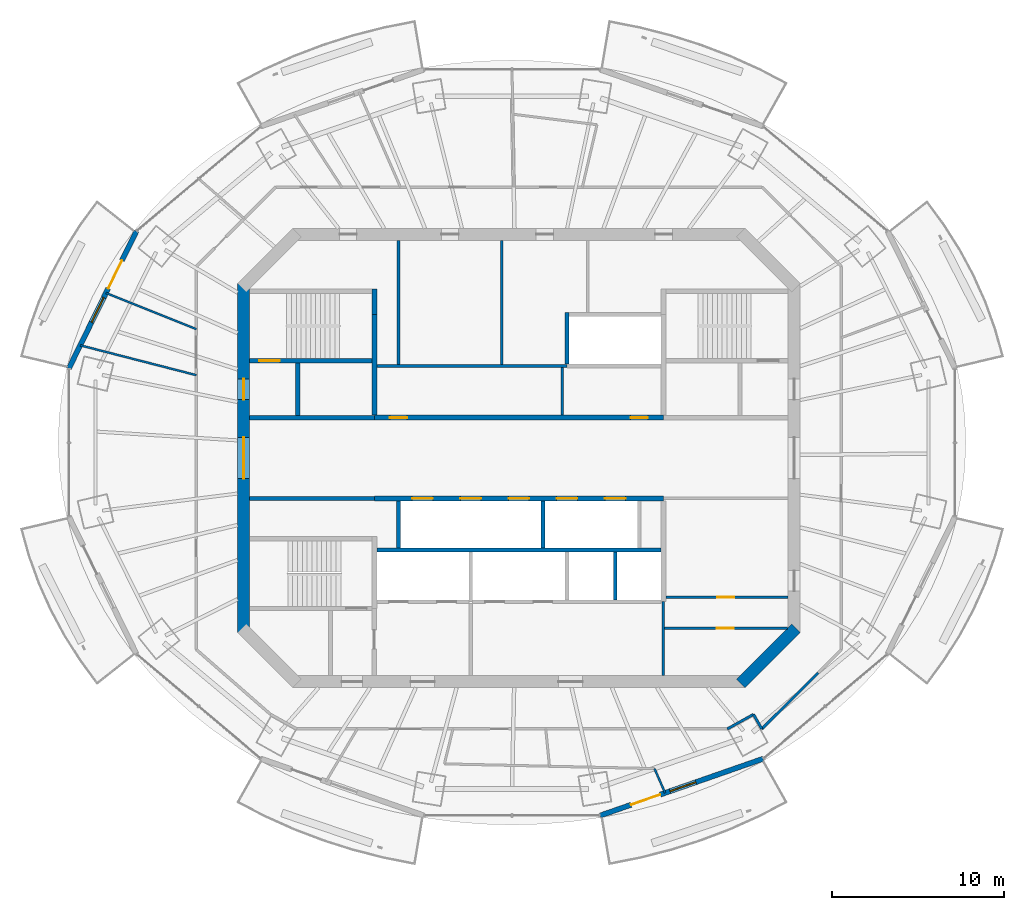
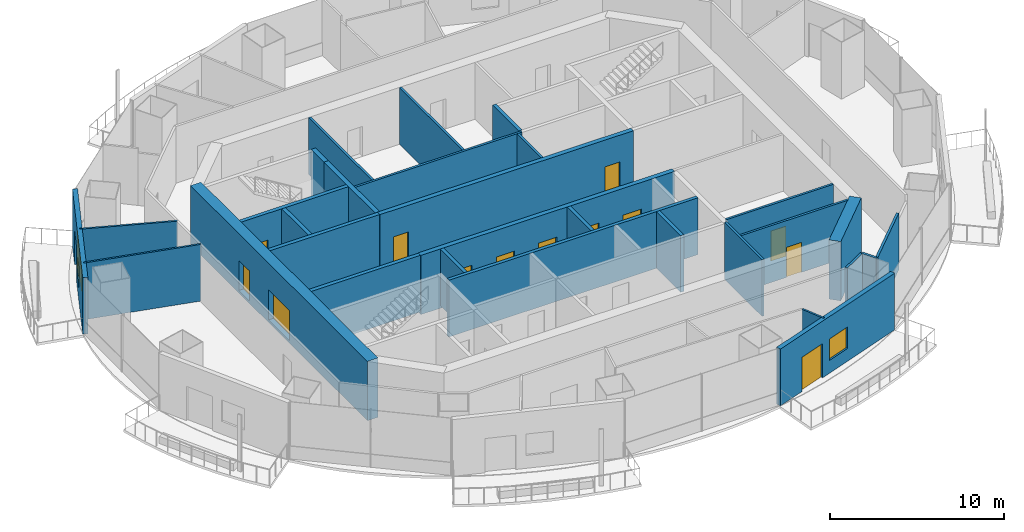
# One storey, part 9 of 16: 30 walls, 14 doors, 2 windows, 16 openings.
"""IFC4 building model written with IfcOpenShell, lengths in metres."""

from ifc_helpers import new_model, si_unit, direction, frame, frame_2d, origin, place, context, subcontext, project, spatial, rectangle, extrude, material, layer, layer_set, type_object, element, fill, save


model = new_model("IFC4")

# Units and contexts
model_context = context("Model", 3, precision=1e-05, world=origin(), true_north=direction((0.0, 1.0)))
body_context = subcontext(model_context, "Body", "Model", "MODEL_VIEW")
ifc_project = project(units=[si_unit("LENGTHUNIT", "METRE"), si_unit("AREAUNIT", "SQUARE_METRE"), si_unit("VOLUMEUNIT", "CUBIC_METRE"), si_unit("PLANEANGLEUNIT", "RADIAN"), si_unit("MASSUNIT", "GRAM", prefix="KILO")], contexts=[model_context])

# Site, building, storey
site_placement = place(None, origin())
site = spatial("IfcSite", under=ifc_project, at=site_placement, CompositionType="ELEMENT")
building_placement = place(site_placement, origin())
building = spatial("IfcBuilding", under=site, at=building_placement, Name="Marenthal Gate Tower", CompositionType="ELEMENT")
storey_placement = place(building_placement, frame((0.0, 0.0, 367.5)))
storey = spatial("IfcBuildingStorey", under=building, at=storey_placement, Name="L83", CompositionType="ELEMENT", Elevation=367.5)

# Wall
ifc_material_1 = material(Name="Concrete 60 MPa", Category="concrete")
ifc_layer_1 = layer(ifc_material_1, 0.699951171875)
ifc_layer_set_1 = layer_set([ifc_layer_1], Name="Core shear wall 700")
wall_type_1 = type_object("IfcWallType", Name="Core shear wall 700", PredefinedType="SHEAR", material=ifc_layer_set_1)
wall_1_placement = place(storey_placement, frame((12.8974609375, -13.1025390625, -0.179931640625), z_axis=(0.0, 0.0, 1.0), x_axis=(0.707106781187, 0.707106781187, 0.0)))
element("IfcWall", 1, at=wall_1_placement, inside=storey, type_object=wall_type_1, Name="Core wall 01", PredefinedType="SHEAR", context=body_context, shape_type="SweptSolid", body=[
    extrude(rectangle(XDim=4.53271484375, YDim=0.699951171875, at=frame_2d((2.266357421875, 0.0))), origin(), (0.0, 0.0, 1.0), 4.14990234375),
])

# Wall, openings, doors
wall_2_placement = place(storey_placement, frame((-16.0, 10.14501953125, -0.179931640625), z_axis=(0.0, 0.0, 1.0), x_axis=(0.0, -1.0, 0.0)))
wall_2 = element("IfcWall", 2, at=wall_2_placement, inside=storey, type_object=wall_type_1, Name="Core wall 06", PredefinedType="SHEAR", context=body_context, shape_type="SweptSolid", body=[
    extrude(rectangle(XDim=20.2900390625, YDim=0.699951171875, at=frame_2d((10.14501953125, 0.0))), origin(), (0.0, 0.0, 1.0), 4.14990234375),
])
opening_1_placement = place(wall_2_placement, frame((8.945068359375, 0.0, 0.179931640625)))
opening_1 = element("IfcOpeningElement", 3, at=opening_1_placement, cuts=wall_2, Name="Opening D003.01", PredefinedType="OPENING", context=body_context, shape_type="SweptSolid", body=[
    extrude(rectangle(XDim=2.39990234375, YDim=2.10009765625, at=frame_2d((1.199951171875, 1.050048828125))), frame((0.0, 0.35986328125, 0.0), z_axis=(0.0, -1.0, 0.0), x_axis=(1.0, 0.0, 0.0)), (0.0, 0.0, 1.0), 0.719970703125),
])
opening_2_placement = place(wall_2_placement, frame((5.544921875, 0.0, 0.179931640625)))
opening_2 = element("IfcOpeningElement", 4, at=opening_2_placement, cuts=wall_2, Name="Opening D001.04", PredefinedType="OPENING", context=body_context, shape_type="SweptSolid", body=[
    extrude(rectangle(XDim=1.199951171875, YDim=2.10009765625, at=frame_2d((0.60009765625, 1.050048828125))), frame((0.0, 0.35986328125, 0.0), z_axis=(0.0, -1.0, 0.0), x_axis=(1.0, 0.0, 0.0)), (0.0, 0.0, 1.0), 0.719970703125),
])
ifc_material_2 = material(Name="Steel fire door", Category="steel")
door_type_1 = type_object("IfcDoorType", Name="Double fire door FD 45 2400 x 2100", OperationType="DOUBLE_DOOR_SINGLE_SWING", PredefinedType="DOOR", material=ifc_material_2)
door_1_placement = place(opening_1_placement, origin())
door_1 = element("IfcDoor", 5, at=door_1_placement, inside=storey, type_object=door_type_1, Name="Door D003.01", OperationType="DOUBLE_DOOR_SINGLE_SWING", OverallHeight=2.10009765625, OverallWidth=2.39990234375, PredefinedType="DOOR", context=body_context, shape_type="SweptSolid", body=[
    extrude(rectangle(XDim=2.39990234375, YDim=2.10009765625, at=frame_2d((1.199951171875, 1.050048828125))), frame((0.0, 0.02490234375, 0.0), z_axis=(0.0, -1.0, 0.0), x_axis=(1.0, 0.0, 0.0)), (0.0, 0.0, 1.0), 0.050048828125),
])
fill(opening_1, door_1)
ifc_material_3 = material(Name="Steel fire door", Category="steel")
door_type_2 = type_object("IfcDoorType", Name="Fire door FD 90 1200 x 2100", OperationType="NOTDEFINED", PredefinedType="DOOR", material=ifc_material_3)
door_2_placement = place(opening_2_placement, origin())
door_2 = element("IfcDoor", 6, at=door_2_placement, inside=storey, type_object=door_type_2, Name="Door D001.04", OperationType="SINGLE_SWING_RIGHT", OverallHeight=2.10009765625, OverallWidth=1.199951171875, PredefinedType="DOOR", context=body_context, shape_type="SweptSolid", body=[
    extrude(rectangle(XDim=1.199951171875, YDim=2.10009765625, at=frame_2d((0.60009765625, 1.050048828125))), frame((0.0, 0.02490234375, 0.0), z_axis=(0.0, -1.0, 0.0), x_axis=(1.0, 0.0, 0.0)), (0.0, 0.0, 1.0), 0.050048828125),
])
fill(opening_2, door_2)

ifc_material_4 = material(Name="Concrete 50 MPa", Category="concrete")
ifc_layer_2 = layer(ifc_material_4, 0.300048828125)
ifc_layer_set_2 = layer_set([ifc_layer_2], Name="Hoistway shear wall 300")
wall_type_2 = type_object("IfcWallType", Name="Hoistway shear wall 300", PredefinedType="SHEAR", material=ifc_layer_set_2)
wall_3_placement = place(storey_placement, frame((-8.39990234375, -2.35009765625, -0.179931640625), z_axis=(0.0, 0.0, 1.0), x_axis=(1.0, 0.0, 0.0)))
wall_3 = element("IfcWall", 7, at=wall_3_placement, inside=storey, type_object=wall_type_2, Name="Hoistway wall 17", PredefinedType="SHEAR", context=body_context, shape_type="SweptSolid", body=[
    extrude(rectangle(XDim=16.7998046875, YDim=0.300048828125, at=frame_2d((8.39990234375, 0.0))), origin(), (0.0, 0.0, 1.0), 4.14990234375),
])
opening_3_placement = place(wall_3_placement, frame((2.199951171875, 0.0, 0.179931640625)))
opening_3 = element("IfcOpeningElement", 8, at=opening_3_placement, cuts=wall_3, Name="Opening LD-HP1", PredefinedType="OPENING", context=body_context, shape_type="SweptSolid", body=[
    extrude(rectangle(XDim=1.199951171875, YDim=2.10009765625, at=frame_2d((0.60009765625, 1.050048828125))), frame((0.0, 0.16015625, 0.0), z_axis=(0.0, -1.0, 0.0), x_axis=(1.0, 0.0, 0.0)), (0.0, 0.0, 1.0), 0.320068359375),
])
opening_4_placement = place(wall_3_placement, frame((5.0, 0.0, 0.179931640625)))
opening_4 = element("IfcOpeningElement", 9, at=opening_4_placement, cuts=wall_3, Name="Opening LD-HP2", PredefinedType="OPENING", context=body_context, shape_type="SweptSolid", body=[
    extrude(rectangle(XDim=1.199951171875, YDim=2.10009765625, at=frame_2d((0.60009765625, 1.050048828125))), frame((0.0, 0.16015625, 0.0), z_axis=(0.0, -1.0, 0.0), x_axis=(1.0, 0.0, 0.0)), (0.0, 0.0, 1.0), 0.320068359375),
])
opening_5_placement = place(wall_3_placement, frame((7.800048828125, 0.0, 0.179931640625)))
opening_5 = element("IfcOpeningElement", 10, at=opening_5_placement, cuts=wall_3, Name="Opening LD-HP3", PredefinedType="OPENING", context=body_context, shape_type="SweptSolid", body=[
    extrude(rectangle(XDim=1.199951171875, YDim=2.10009765625, at=frame_2d((0.60009765625, 1.050048828125))), frame((0.0, 0.16015625, 0.0), z_axis=(0.0, -1.0, 0.0), x_axis=(1.0, 0.0, 0.0)), (0.0, 0.0, 1.0), 0.320068359375),
])
opening_6_placement = place(wall_3_placement, frame((10.60009765625, 0.0, 0.179931640625)))
opening_6 = element("IfcOpeningElement", 11, at=opening_6_placement, cuts=wall_3, Name="Opening LD-HP4", PredefinedType="OPENING", context=body_context, shape_type="SweptSolid", body=[
    extrude(rectangle(XDim=1.199951171875, YDim=2.10009765625, at=frame_2d((0.60009765625, 1.050048828125))), frame((0.0, 0.16015625, 0.0), z_axis=(0.0, -1.0, 0.0), x_axis=(1.0, 0.0, 0.0)), (0.0, 0.0, 1.0), 0.320068359375),
])
opening_7_placement = place(wall_3_placement, frame((13.39990234375, 0.0, 0.179931640625)))
opening_7 = element("IfcOpeningElement", 12, at=opening_7_placement, cuts=wall_3, Name="Opening LD-HP5", PredefinedType="OPENING", context=body_context, shape_type="SweptSolid", body=[
    extrude(rectangle(XDim=1.199951171875, YDim=2.10009765625, at=frame_2d((0.60009765625, 1.050048828125))), frame((0.0, 0.16015625, 0.0), z_axis=(0.0, -1.0, 0.0), x_axis=(1.0, 0.0, 0.0)), (0.0, 0.0, 1.0), 0.320068359375),
])
ifc_material_5 = material(Name="Stainless steel sliding door", Category="steel")
door_type_3 = type_object("IfcDoorType", Name="Lift landing door FD 90 1200 x 2100", OperationType="DOUBLE_DOOR_SLIDING", PredefinedType="DOOR", material=ifc_material_5)
door_3_placement = place(opening_3_placement, origin())
door_3 = element("IfcDoor", 13, at=door_3_placement, inside=storey, type_object=door_type_3, Name="Lift landing door HP1", OperationType="DOUBLE_DOOR_SLIDING", OverallHeight=2.10009765625, OverallWidth=1.199951171875, PredefinedType="DOOR", context=body_context, shape_type="SweptSolid", body=[
    extrude(rectangle(XDim=1.199951171875, YDim=2.10009765625, at=frame_2d((0.60009765625, 1.050048828125))), frame((0.0, 0.02490234375, 0.0), z_axis=(0.0, -1.0, 0.0), x_axis=(1.0, 0.0, 0.0)), (0.0, 0.0, 1.0), 0.050048828125),
])
fill(opening_3, door_3)
door_4_placement = place(opening_4_placement, origin())
door_4 = element("IfcDoor", 14, at=door_4_placement, inside=storey, type_object=door_type_3, Name="Lift landing door HP2", OperationType="DOUBLE_DOOR_SLIDING", OverallHeight=2.10009765625, OverallWidth=1.199951171875, PredefinedType="DOOR", context=body_context, shape_type="SweptSolid", body=[
    extrude(rectangle(XDim=1.199951171875, YDim=2.10009765625, at=frame_2d((0.60009765625, 1.050048828125))), frame((0.0, 0.02490234375, 0.0), z_axis=(0.0, -1.0, 0.0), x_axis=(1.0, 0.0, 0.0)), (0.0, 0.0, 1.0), 0.050048828125),
])
fill(opening_4, door_4)
door_5_placement = place(opening_5_placement, origin())
door_5 = element("IfcDoor", 15, at=door_5_placement, inside=storey, type_object=door_type_3, Name="Lift landing door HP3", OperationType="DOUBLE_DOOR_SLIDING", OverallHeight=2.10009765625, OverallWidth=1.199951171875, PredefinedType="DOOR", context=body_context, shape_type="SweptSolid", body=[
    extrude(rectangle(XDim=1.199951171875, YDim=2.10009765625, at=frame_2d((0.60009765625, 1.050048828125))), frame((0.0, 0.02490234375, 0.0), z_axis=(0.0, -1.0, 0.0), x_axis=(1.0, 0.0, 0.0)), (0.0, 0.0, 1.0), 0.050048828125),
])
fill(opening_5, door_5)
door_6_placement = place(opening_6_placement, origin())
door_6 = element("IfcDoor", 16, at=door_6_placement, inside=storey, type_object=door_type_3, Name="Lift landing door HP4", OperationType="DOUBLE_DOOR_SLIDING", OverallHeight=2.10009765625, OverallWidth=1.199951171875, PredefinedType="DOOR", context=body_context, shape_type="SweptSolid", body=[
    extrude(rectangle(XDim=1.199951171875, YDim=2.10009765625, at=frame_2d((0.60009765625, 1.050048828125))), frame((0.0, 0.02490234375, 0.0), z_axis=(0.0, -1.0, 0.0), x_axis=(1.0, 0.0, 0.0)), (0.0, 0.0, 1.0), 0.050048828125),
])
fill(opening_6, door_6)
door_7_placement = place(opening_7_placement, origin())
door_7 = element("IfcDoor", 17, at=door_7_placement, inside=storey, type_object=door_type_3, Name="Lift landing door HP5", OperationType="DOUBLE_DOOR_SLIDING", OverallHeight=2.10009765625, OverallWidth=1.199951171875, PredefinedType="DOOR", context=body_context, shape_type="SweptSolid", body=[
    extrude(rectangle(XDim=1.199951171875, YDim=2.10009765625, at=frame_2d((0.60009765625, 1.050048828125))), frame((0.0, 0.02490234375, 0.0), z_axis=(0.0, -1.0, 0.0), x_axis=(1.0, 0.0, 0.0)), (0.0, 0.0, 1.0), 0.050048828125),
])
fill(opening_7, door_7)

wall_4_placement = place(storey_placement, frame((-8.39990234375, 2.35009765625, -0.179931640625), z_axis=(0.0, 0.0, 1.0), x_axis=(1.0, 0.0, 0.0)))
wall_4 = element("IfcWall", 18, at=wall_4_placement, inside=storey, type_object=wall_type_2, Name="Hoistway wall 20", PredefinedType="SHEAR", context=body_context, shape_type="SweptSolid", body=[
    extrude(rectangle(XDim=16.7998046875, YDim=0.300048828125, at=frame_2d((8.39990234375, 0.0))), origin(), (0.0, 0.0, 1.0), 4.14990234375),
])
opening_8_placement = place(wall_4_placement, frame((0.89990234375, 0.0, 0.179931640625)))
opening_8 = element("IfcOpeningElement", 19, at=opening_8_placement, cuts=wall_4, Name="Opening D005.01", PredefinedType="OPENING", context=body_context, shape_type="SweptSolid", body=[
    extrude(rectangle(XDim=1.0, YDim=2.10009765625, at=frame_2d((0.5, 1.050048828125))), frame((0.0, 0.16015625, 0.0), z_axis=(0.0, -1.0, 0.0), x_axis=(1.0, 0.0, 0.0)), (0.0, 0.0, 1.0), 0.320068359375),
])
opening_9_placement = place(wall_4_placement, frame((14.89990234375, 0.0, 0.179931640625)))
opening_9 = element("IfcOpeningElement", 20, at=opening_9_placement, cuts=wall_4, Name="Opening D005.02", PredefinedType="OPENING", context=body_context, shape_type="SweptSolid", body=[
    extrude(rectangle(XDim=1.0, YDim=2.10009765625, at=frame_2d((0.5, 1.050048828125))), frame((0.0, 0.16015625, 0.0), z_axis=(0.0, -1.0, 0.0), x_axis=(1.0, 0.0, 0.0)), (0.0, 0.0, 1.0), 0.320068359375),
])
ifc_material_6 = material(Name="Steel fire door", Category="steel")
door_type_4 = type_object("IfcDoorType", Name="Fire door FD 45 1000 x 2100", OperationType="NOTDEFINED", PredefinedType="DOOR", material=ifc_material_6)
door_8_placement = place(opening_8_placement, origin())
door_8 = element("IfcDoor", 21, at=door_8_placement, inside=storey, type_object=door_type_4, Name="Door D005.01", OperationType="SINGLE_SWING_RIGHT", OverallHeight=2.10009765625, OverallWidth=1.0, PredefinedType="DOOR", context=body_context, shape_type="SweptSolid", body=[
    extrude(rectangle(XDim=1.0, YDim=2.10009765625, at=frame_2d((0.5, 1.050048828125))), frame((0.0, 0.02490234375, 0.0), z_axis=(0.0, -1.0, 0.0), x_axis=(1.0, 0.0, 0.0)), (0.0, 0.0, 1.0), 0.050048828125),
])
fill(opening_8, door_8)
door_9_placement = place(opening_9_placement, origin())
door_9 = element("IfcDoor", 22, at=door_9_placement, inside=storey, type_object=door_type_4, Name="Door D005.02", OperationType="SINGLE_SWING_RIGHT", OverallHeight=2.10009765625, OverallWidth=1.0, PredefinedType="DOOR", context=body_context, shape_type="SweptSolid", body=[
    extrude(rectangle(XDim=1.0, YDim=2.10009765625, at=frame_2d((0.5, 1.050048828125))), frame((0.0, 0.02490234375, 0.0), z_axis=(0.0, -1.0, 0.0), x_axis=(1.0, 0.0, 0.0)), (0.0, 0.0, 1.0), 0.050048828125),
])
fill(opening_9, door_9)

# Walls
wall_5_placement = place(storey_placement, frame((-8.39990234375, 2.5, -0.179931640625), z_axis=(0.0, 0.0, 1.0), x_axis=(0.0, 1.0, 0.0)))
element("IfcWall", 23, at=wall_5_placement, inside=storey, type_object=wall_type_2, Name="Hoistway wall 33", PredefinedType="SHEAR", context=body_context, shape_type="SweptSolid", body=[
    extrude(rectangle(XDim=5.85009765625, YDim=0.300048828125, at=frame_2d((2.925048828125, 0.0))), origin(), (0.0, 0.0, 1.0), 4.14990234375),
])
ifc_material_7 = material(Name="Concrete 40 MPa", Category="concrete")
ifc_layer_3 = layer(ifc_material_7, 0.219970703125)
ifc_layer_set_3 = layer_set([ifc_layer_3], Name="Hoistway wall 220")
wall_type_3 = type_object("IfcWallType", Name="Hoistway wall 220", PredefinedType="STANDARD", material=ifc_layer_set_3)
wall_6_placement = place(storey_placement, frame((-8.25, -5.35009765625, 0.0), z_axis=(0.0, 0.0, 1.0), x_axis=(1.0, 0.0, 0.0)))
element("IfcWall", 24, at=wall_6_placement, inside=storey, type_object=wall_type_3, Name="Hoistway wall 14", PredefinedType="STANDARD", context=body_context, shape_type="SweptSolid", body=[
    extrude(rectangle(XDim=16.5, YDim=0.219970703125, at=frame_2d((8.25, 0.0))), origin(), (0.0, 0.0, 1.0), 3.969970703125),
])
for number, where, z_axis, x_axis, name in (
    (25, (-7.0, -5.239990234375, 0.0), (0.0, 0.0, 1.0), (0.0, 1.0, 0.0), "Hoistway wall 35"),
    (26, (1.39990234375, -5.239990234375, 0.0), (0.0, 0.0, 1.0), (0.0, 1.0, 0.0), "Hoistway wall 40"),
):
    element("IfcWall", number, at=place(storey_placement, frame(where, z_axis=z_axis, x_axis=x_axis)), inside=storey, type_object=wall_type_3, Name=name, PredefinedType="STANDARD", context=body_context, shape_type="SweptSolid", body=[
        extrude(rectangle(XDim=2.739990234375, YDim=0.219970703125, at=frame_2d((1.3701171875, 0.0))), origin(), (0.0, 0.0, 1.0), 3.969970703125),
    ])
wall_7_placement = place(storey_placement, frame((2.800048828125, 5.4599609375, 0.0), z_axis=(0.0, 0.0, 1.0), x_axis=(0.0, 1.0, 0.0)))
element("IfcWall", 27, at=wall_7_placement, inside=storey, type_object=wall_type_3, Name="Hoistway wall 43", PredefinedType="STANDARD", context=body_context, shape_type="SweptSolid", body=[
    extrude(rectangle(XDim=3.0, YDim=0.219970703125, at=frame_2d((1.5, 0.0))), origin(), (0.0, 0.0, 1.0), 3.969970703125),
])
wall_8_placement = place(storey_placement, frame((5.60009765625, -8.239990234375, 0.0), z_axis=(0.0, 0.0, 1.0), x_axis=(0.0, 1.0, 0.0)))
element("IfcWall", 28, at=wall_8_placement, inside=storey, type_object=wall_type_3, Name="Hoistway wall 45", PredefinedType="STANDARD", context=body_context, shape_type="SweptSolid", body=[
    extrude(rectangle(XDim=2.780029296875, YDim=0.219970703125, at=frame_2d((1.39013671875, 0.0))), origin(), (0.0, 0.0, 1.0), 3.969970703125),
])
ifc_material_8 = material(Name="Gypsum board on steel studs", Category="steel")
ifc_layer_4 = layer(ifc_material_8, 0.1201171875)
ifc_layer_set_4 = layer_set([ifc_layer_4], Name="Partition 120")
wall_type_4 = type_object("IfcWallType", Name="Partition 120", PredefinedType="PARTITIONING", material=ifc_layer_set_4)
wall_9_placement = place(storey_placement, frame((-18.75, 4.8173828125, 0.0), z_axis=(0.0, 0.0, 1.0), x_axis=(-0.968546007416, 0.248834546472, 0.0)))
element("IfcWall", 29, at=wall_9_placement, inside=storey, type_object=wall_type_4, Name="Partition wall 53", PredefinedType="PARTITIONING", context=body_context, shape_type="SweptSolid", body=[
    extrude(rectangle(XDim=6.970947265625, YDim=0.1201171875, at=frame_2d((3.4853515625, 0.0))), origin(), (0.0, 0.0, 1.0), 3.969970703125),
])
wall_10_placement = place(storey_placement, frame((-18.75, 7.494873046875, 0.0), z_axis=(0.0, 0.0, 1.0), x_axis=(-0.928562955477, 0.371174942197, 0.0)))
element("IfcWall", 30, at=wall_10_placement, inside=storey, type_object=wall_type_4, Name="Partition wall 54", PredefinedType="PARTITIONING", context=body_context, shape_type="SweptSolid", body=[
    extrude(rectangle(XDim=5.65869140625, YDim=0.1201171875, at=frame_2d((2.829345703125, 0.0))), origin(), (0.0, 0.0, 1.0), 3.969970703125),
])
wall_11_placement = place(storey_placement, frame((7.8837890625, -18.055908203125, 0.0), z_axis=(0.0, 0.0, 1.0), x_axis=(0.400253967032, -0.916404256797, 0.0)))
element("IfcWall", 31, at=wall_11_placement, inside=storey, type_object=wall_type_4, Name="Partition wall 69", PredefinedType="PARTITIONING", context=body_context, shape_type="SweptSolid", body=[
    extrude(rectangle(XDim=1.5419921875, YDim=0.1201171875, at=frame_2d((0.77099609375, 0.0))), origin(), (0.0, 0.0, 1.0), 3.969970703125),
])

# Wall, opening, door
ifc_material_9 = material(Name="Gypsum board on steel studs", Category="steel")
ifc_layer_5 = layer(ifc_material_9, 0.14990234375)
ifc_layer_set_5 = layer_set([ifc_layer_5], Name="Partition 150")
wall_type_5 = type_object("IfcWallType", Name="Partition 150", PredefinedType="PARTITIONING", material=ifc_layer_set_5)
wall_12_placement = place(storey_placement, frame((8.47509765625, -9.89990234375, 0.0), z_axis=(0.0, 0.0, 1.0), x_axis=(1.0, 0.0, 0.0)))
wall_12 = element("IfcWall", 32, at=wall_12_placement, inside=storey, type_object=wall_type_5, Name="Partition wall 09", PredefinedType="PARTITIONING", context=body_context, shape_type="SweptSolid", body=[
    extrude(rectangle(XDim=7.1298828125, YDim=0.14990234375, at=frame_2d((3.56494140625, 0.0))), origin(), (0.0, 0.0, 1.0), 3.969970703125),
])
opening_10_placement = place(wall_12_placement, frame((3.027587890625, 0.0, 0.0)))
opening_10 = element("IfcOpeningElement", 33, at=opening_10_placement, cuts=wall_12, Name="Opening D005.08", PredefinedType="OPENING", context=body_context, shape_type="SweptSolid", body=[
    extrude(rectangle(XDim=1.0, YDim=2.10009765625, at=frame_2d((0.5, 1.050048828125))), frame((0.0, 0.0849609375, 0.0), z_axis=(0.0, -1.0, 0.0), x_axis=(1.0, 0.0, 0.0)), (0.0, 0.0, 1.0), 0.169921875),
])
door_10_placement = place(opening_10_placement, frame((1.0, 0.0, 0.0), z_axis=(0.0, 0.0, 1.0), x_axis=(-1.0, 0.0, 0.0)))
door_10 = element("IfcDoor", 34, at=door_10_placement, inside=storey, type_object=door_type_4, Name="Door D005.08", OperationType="SINGLE_SWING_LEFT", OverallHeight=2.10009765625, OverallWidth=1.0, PredefinedType="DOOR", context=body_context, shape_type="SweptSolid", body=[
    extrude(rectangle(XDim=1.0, YDim=2.10009765625, at=frame_2d((0.5, 1.050048828125))), frame((0.0, 0.02490234375, 0.0), z_axis=(0.0, -1.0, 0.0), x_axis=(1.0, 0.0, 0.0)), (0.0, 0.0, 1.0), 0.050048828125),
])
fill(opening_10, door_10)

wall_13_placement = place(storey_placement, frame((8.550048828125, -8.10009765625, 0.0), z_axis=(0.0, 0.0, 1.0), x_axis=(1.0, 0.0, 0.0)))
wall_13 = element("IfcWall", 35, at=wall_13_placement, inside=storey, type_object=wall_type_5, Name="Partition wall 13", PredefinedType="PARTITIONING", context=body_context, shape_type="SweptSolid", body=[
    extrude(rectangle(XDim=7.099853515625, YDim=0.14990234375, at=frame_2d((3.5498046875, 0.0))), origin(), (0.0, 0.0, 1.0), 3.969970703125),
])
opening_11_placement = place(wall_13_placement, frame((2.97509765625, 0.0, 0.0)))
opening_11 = element("IfcOpeningElement", 36, at=opening_11_placement, cuts=wall_13, Name="Opening D005.07", PredefinedType="OPENING", context=body_context, shape_type="SweptSolid", body=[
    extrude(rectangle(XDim=1.0, YDim=2.10009765625, at=frame_2d((0.5, 1.050048828125))), frame((0.0, 0.0849609375, 0.0), z_axis=(0.0, -1.0, 0.0), x_axis=(1.0, 0.0, 0.0)), (0.0, 0.0, 1.0), 0.169921875),
])
door_11_placement = place(opening_11_placement, origin())
door_11 = element("IfcDoor", 37, at=door_11_placement, inside=storey, type_object=door_type_4, Name="Door D005.07", OperationType="SINGLE_SWING_RIGHT", OverallHeight=2.10009765625, OverallWidth=1.0, PredefinedType="DOOR", context=body_context, shape_type="SweptSolid", body=[
    extrude(rectangle(XDim=1.0, YDim=2.10009765625, at=frame_2d((0.5, 1.050048828125))), frame((0.0, 0.02490234375, 0.0), z_axis=(0.0, -1.0, 0.0), x_axis=(1.0, 0.0, 0.0)), (0.0, 0.0, 1.0), 0.050048828125),
])
fill(opening_11, door_11)

# Walls
wall_14_placement = place(storey_placement, frame((-8.25, 5.35009765625, 0.0), z_axis=(0.0, 0.0, 1.0), x_axis=(1.0, 0.0, 0.0)))
element("IfcWall", 38, at=wall_14_placement, inside=storey, type_object=wall_type_5, Name="Partition wall 22", PredefinedType="PARTITIONING", context=body_context, shape_type="SweptSolid", body=[
    extrude(rectangle(XDim=11.050048828125, YDim=0.14990234375, at=frame_2d((5.52490234375, 0.0))), origin(), (0.0, 0.0, 1.0), 3.969970703125),
])
for number, where, z_axis, x_axis, name in (
    (39, (-7.0, 5.425048828125, 0.0), (0.0, 0.0, 1.0), (0.0, 1.0, 0.0), "Partition wall 36"),
    (40, (-1.0, 5.425048828125, 0.0), (0.0, 0.0, 1.0), (0.0, 1.0, 0.0), "Partition wall 39"),
):
    element("IfcWall", number, at=place(storey_placement, frame(where, z_axis=z_axis, x_axis=x_axis)), inside=storey, type_object=wall_type_5, Name=name, PredefinedType="PARTITIONING", context=body_context, shape_type="SweptSolid", body=[
        extrude(rectangle(XDim=7.224853515625, YDim=0.14990234375, at=frame_2d((3.6123046875, 0.0))), origin(), (0.0, 0.0, 1.0), 3.969970703125),
    ])
wall_15_placement = place(storey_placement, frame((2.52001953125, 2.5, 0.0), z_axis=(0.0, 0.0, 1.0), x_axis=(0.0, 1.0, 0.0)))
element("IfcWall", 41, at=wall_15_placement, inside=storey, type_object=wall_type_5, Name="Partition wall 41", PredefinedType="PARTITIONING", context=body_context, shape_type="SweptSolid", body=[
    extrude(rectangle(XDim=2.77490234375, YDim=0.14990234375, at=frame_2d((1.387451171875, 0.0))), origin(), (0.0, 0.0, 1.0), 3.969970703125),
])
wall_16_placement = place(storey_placement, frame((8.39990234375, -12.64990234375, 0.0), z_axis=(0.0, 0.0, 1.0), x_axis=(0.0, 1.0, 0.0)))
element("IfcWall", 42, at=wall_16_placement, inside=storey, type_object=wall_type_5, Name="Partition wall 47", PredefinedType="PARTITIONING", context=body_context, shape_type="SweptSolid", body=[
    extrude(rectangle(XDim=4.2998046875, YDim=0.14990234375, at=frame_2d((2.14990234375, 0.0))), origin(), (0.0, 0.0, 1.0), 3.969970703125),
])
wall_17_placement = place(storey_placement, frame((13.639404296875, -14.9033203125, 0.0), z_axis=(0.0, 0.0, 1.0), x_axis=(-0.87407797583, -0.485785644259, 0.0)))
element("IfcWall", 43, at=wall_17_placement, inside=storey, type_object=wall_type_5, Name="Partition wall 71", PredefinedType="PARTITIONING", context=body_context, shape_type="SweptSolid", body=[
    extrude(rectangle(XDim=1.742919921875, YDim=0.14990234375, at=frame_2d((0.87158203125, 0.0))), origin(), (0.0, 0.0, 1.0), 3.969970703125),
])
wall_18_placement = place(storey_placement, frame((14.12451171875, -15.75, 0.0), z_axis=(0.0, 0.0, 1.0), x_axis=(-0.497135538287, 0.867672897221, 0.0)))
element("IfcWall", 44, at=wall_18_placement, inside=storey, type_object=wall_type_5, Name="Partition wall 72", PredefinedType="PARTITIONING", context=body_context, shape_type="SweptSolid", body=[
    extrude(rectangle(XDim=0.975830078125, YDim=0.14990234375, at=frame_2d((0.48779296875, 0.0))), origin(), (0.0, 0.0, 1.0), 3.969970703125),
])
wall_19_placement = place(storey_placement, frame((17.401123046875, -12.483642578125, 0.0), z_axis=(0.0, 0.0, 1.0), x_axis=(-0.708214063917, -0.705997761802, 0.0)))
element("IfcWall", 45, at=wall_19_placement, inside=storey, type_object=wall_type_5, Name="Partition wall 79", PredefinedType="PARTITIONING", context=body_context, shape_type="SweptSolid", body=[
    extrude(rectangle(XDim=4.62646484375, YDim=0.14990234375, at=frame_2d((2.313232421875, 0.0))), origin(), (0.0, 0.0, 1.0), 3.969970703125),
])
ifc_material_10 = material(Name="Concrete 40 MPa", Category="concrete")
ifc_layer_6 = layer(ifc_material_10, 0.25)
ifc_layer_set_6 = layer_set([ifc_layer_6], Name="Stair enclosure wall 250")
wall_type_6 = type_object("IfcWallType", Name="Stair enclosure wall 250", PredefinedType="STANDARD", material=ifc_layer_set_6)
for number, where, z_axis, x_axis, name in (
    (46, (-15.64990234375, -2.35009765625, 0.0), (0.0, 0.0, 1.0), (1.0, 0.0, 0.0), "Stair wall 16"),
    (47, (-15.64990234375, 2.35009765625, 0.0), (0.0, 0.0, 1.0), (1.0, 0.0, 0.0), "Stair wall 19"),
):
    element("IfcWall", number, at=place(storey_placement, frame(where, z_axis=z_axis, x_axis=x_axis)), inside=storey, type_object=wall_type_6, Name=name, PredefinedType="STANDARD", context=body_context, shape_type="SweptSolid", body=[
        extrude(rectangle(XDim=7.25, YDim=0.25, at=frame_2d((3.625, 0.0))), origin(), (0.0, 0.0, 1.0), 3.969970703125),
    ])
wall_20_placement = place(storey_placement, frame((-12.85009765625, 2.47509765625, 0.0), z_axis=(0.0, 0.0, 1.0), x_axis=(0.0, 1.0, 0.0)))
element("IfcWall", 48, at=wall_20_placement, inside=storey, type_object=wall_type_6, Name="Stair wall 29", PredefinedType="STANDARD", context=body_context, shape_type="SweptSolid", body=[
    extrude(rectangle(XDim=3.0498046875, YDim=0.25, at=frame_2d((1.52490234375, 0.0))), origin(), (0.0, 0.0, 1.0), 3.969970703125),
])

# Wall, opening, door
ifc_material_11 = material(Name="Concrete 50 MPa", Category="concrete")
ifc_layer_7 = layer(ifc_material_11, 0.25)
ifc_layer_set_7 = layer_set([ifc_layer_7], Name="Stair shear wall 250")
wall_type_7 = type_object("IfcWallType", Name="Stair shear wall 250", PredefinedType="SHEAR", material=ifc_layer_set_7)
wall_21_placement = place(storey_placement, frame((-15.64990234375, 5.64990234375, -0.179931640625), z_axis=(0.0, 0.0, 1.0), x_axis=(1.0, 0.0, 0.0)))
wall_21 = element("IfcWall", 49, at=wall_21_placement, inside=storey, type_object=wall_type_7, Name="Stair wall 24", PredefinedType="SHEAR", context=body_context, shape_type="SweptSolid", body=[
    extrude(rectangle(XDim=7.099853515625, YDim=0.25, at=frame_2d((3.5498046875, 0.0))), origin(), (0.0, 0.0, 1.0), 4.14990234375),
])
opening_12_placement = place(wall_21_placement, frame((0.550048828125, 0.0, 0.179931640625)))
opening_12 = element("IfcOpeningElement", 50, at=opening_12_placement, cuts=wall_21, Name="Opening D001.01", PredefinedType="OPENING", context=body_context, shape_type="SweptSolid", body=[
    extrude(rectangle(XDim=1.199951171875, YDim=2.10009765625, at=frame_2d((0.60009765625, 1.050048828125))), frame((0.0, 0.135009765625, 0.0), z_axis=(0.0, -1.0, 0.0), x_axis=(1.0, 0.0, 0.0)), (0.0, 0.0, 1.0), 0.27001953125),
])
door_12_placement = place(opening_12_placement, origin())
door_12 = element("IfcDoor", 51, at=door_12_placement, inside=storey, type_object=door_type_2, Name="Door D001.01", OperationType="SINGLE_SWING_RIGHT", OverallHeight=2.10009765625, OverallWidth=1.199951171875, PredefinedType="DOOR", context=body_context, shape_type="SweptSolid", body=[
    extrude(rectangle(XDim=1.199951171875, YDim=2.10009765625, at=frame_2d((0.60009765625, 1.050048828125))), frame((0.0, 0.02490234375, 0.0), z_axis=(0.0, -1.0, 0.0), x_axis=(1.0, 0.0, 0.0)), (0.0, 0.0, 1.0), 0.050048828125),
])
fill(opening_12, door_12)

# Wall
ifc_material_12 = material(Name="Concrete 50 MPa", Category="concrete")
ifc_layer_8 = layer(ifc_material_12, 0.300048828125)
ifc_layer_set_8 = layer_set([ifc_layer_8], Name="Stair shear wall 300")
wall_type_8 = type_object("IfcWallType", Name="Stair shear wall 300", PredefinedType="SHEAR", material=ifc_layer_set_8)
wall_22_placement = place(storey_placement, frame((-8.39990234375, 8.35009765625, -0.179931640625), z_axis=(0.0, 0.0, 1.0), x_axis=(0.0, 1.0, 0.0)))
element("IfcWall", 52, at=wall_22_placement, inside=storey, type_object=wall_type_8, Name="Stair wall 34", PredefinedType="SHEAR", context=body_context, shape_type="SweptSolid", body=[
    extrude(rectangle(XDim=1.474853515625, YDim=0.300048828125, at=frame_2d((0.7373046875, 0.0))), origin(), (0.0, 0.0, 1.0), 4.14990234375),
])

# Wall, openings, door, window
ifc_material_13 = material(Name="Terracotta cladding on insulated concrete-block backing", Category="masonry")
ifc_layer_9 = layer(ifc_material_13, 0.300048828125)
ifc_layer_set_9 = layer_set([ifc_layer_9], Name="Terracotta facade wall 300")
wall_type_9 = type_object("IfcWallType", Name="Terracotta facade wall 300", PredefinedType="SOLIDWALL", material=ifc_layer_set_9)
wall_23_placement = place(storey_placement, frame((-22.238525390625, 13.18408203125, 0.0), z_axis=(0.0, 0.0, 1.0), x_axis=(-0.441498870894, -0.89726180516, 0.0)))
wall_23 = element("IfcWall", 53, at=wall_23_placement, inside=storey, type_object=wall_type_9, Name="Terracotta facade wall L83 bay 7", PredefinedType="SOLIDWALL", context=body_context, shape_type="SweptSolid", body=[
    extrude(rectangle(XDim=8.883056640625, YDim=0.300048828125, at=frame_2d((4.44140625, 0.0))), origin(), (0.0, 0.0, 1.0), 3.969970703125),
])
opening_13_placement = place(wall_23_placement, frame((1.89990234375, 0.0, 0.0)))
opening_13 = element("IfcOpeningElement", 54, at=opening_13_placement, cuts=wall_23, Name="Opening BD-L83-07", PredefinedType="OPENING", context=body_context, shape_type="SweptSolid", body=[
    extrude(rectangle(XDim=1.800048828125, YDim=2.39990234375, at=frame_2d((0.89990234375, 1.199951171875))), frame((0.0, 0.16015625, 0.0), z_axis=(0.0, -1.0, 0.0), x_axis=(1.0, 0.0, 0.0)), (0.0, 0.0, 1.0), 0.320068359375),
])
opening_14_placement = place(wall_23_placement, frame((4.300048828125, 0.0, 0.89990234375)))
opening_14 = element("IfcOpeningElement", 55, at=opening_14_placement, cuts=wall_23, Name="Opening WN3-L83-07", PredefinedType="OPENING", context=body_context, shape_type="SweptSolid", body=[
    extrude(rectangle(XDim=1.60009765625, YDim=1.5, at=frame_2d((0.800048828125, 0.75))), frame((0.0, 0.16015625, 0.0), z_axis=(0.0, -1.0, 0.0), x_axis=(1.0, 0.0, 0.0)), (0.0, 0.0, 1.0), 0.320068359375),
])
ifc_material_14 = material(Name="Aluminium and glass", Category="aluminium")
door_type_5 = type_object("IfcDoorType", Name="Balcony door 1800x2400", OperationType="DOUBLE_DOOR_SINGLE_SWING", PredefinedType="DOOR", material=ifc_material_14)
door_13_placement = place(opening_13_placement, origin())
door_13 = element("IfcDoor", 56, at=door_13_placement, inside=storey, type_object=door_type_5, Name="Balcony door L83 bay 7", OperationType="SINGLE_SWING_LEFT", OverallHeight=2.39990234375, OverallWidth=1.800048828125, PredefinedType="DOOR", context=body_context, shape_type="SweptSolid", body=[
    extrude(rectangle(XDim=1.800048828125, YDim=2.39990234375, at=frame_2d((0.89990234375, 1.199951171875))), frame((0.0, 0.02490234375, 0.0), z_axis=(0.0, -1.0, 0.0), x_axis=(1.0, 0.0, 0.0)), (0.0, 0.0, 1.0), 0.050048828125),
])
fill(opening_13, door_13)
ifc_material_15 = material(Name="Aluminium and glass", Category="aluminium")
window_type = type_object("IfcWindowType", Name="Window 1600x1500", PartitioningType="DOUBLE_PANEL_VERTICAL", PredefinedType="WINDOW", material=ifc_material_15)
window_1_placement = place(opening_14_placement, origin())
window_1 = element("IfcWindow", 57, at=window_1_placement, inside=storey, type_object=window_type, Name="Window L83 bay 7", OverallHeight=1.5, OverallWidth=1.60009765625, PartitioningType="SINGLE_PANEL", PredefinedType="WINDOW", context=body_context, shape_type="SweptSolid", body=[
    extrude(rectangle(XDim=1.60009765625, YDim=1.5, at=frame_2d((0.800048828125, 0.75))), frame((0.0, 0.030029296875, 0.0), z_axis=(0.0, -1.0, 0.0), x_axis=(1.0, 0.0, 0.0)), (0.0, 0.0, 1.0), 0.06005859375),
])
fill(opening_14, window_1)

wall_24_placement = place(storey_placement, frame((4.72412109375, -20.7861328125, 0.0), z_axis=(0.0, 0.0, 1.0), x_axis=(0.944239971919, 0.329258068133, 0.0)))
wall_24 = element("IfcWall", 58, at=wall_24_placement, inside=storey, type_object=wall_type_9, Name="Terracotta facade wall L83 bay 13", PredefinedType="SOLIDWALL", context=body_context, shape_type="SweptSolid", body=[
    extrude(rectangle(XDim=10.027099609375, YDim=0.300048828125, at=frame_2d((5.013671875, 0.0))), origin(), (0.0, 0.0, 1.0), 3.969970703125),
])
opening_15_placement = place(wall_24_placement, frame((1.89990234375, 0.0, 0.0)))
opening_15 = element("IfcOpeningElement", 59, at=opening_15_placement, cuts=wall_24, Name="Opening BD-L83-13", PredefinedType="OPENING", context=body_context, shape_type="SweptSolid", body=[
    extrude(rectangle(XDim=1.800048828125, YDim=2.39990234375, at=frame_2d((0.89990234375, 1.199951171875))), frame((0.0, 0.16015625, 0.0), z_axis=(0.0, -1.0, 0.0), x_axis=(1.0, 0.0, 0.0)), (0.0, 0.0, 1.0), 0.320068359375),
])
opening_16_placement = place(wall_24_placement, frame((4.300048828125, 0.0, 0.89990234375)))
opening_16 = element("IfcOpeningElement", 60, at=opening_16_placement, cuts=wall_24, Name="Opening WN3-L83-13", PredefinedType="OPENING", context=body_context, shape_type="SweptSolid", body=[
    extrude(rectangle(XDim=1.60009765625, YDim=1.5, at=frame_2d((0.800048828125, 0.75))), frame((0.0, 0.16015625, 0.0), z_axis=(0.0, -1.0, 0.0), x_axis=(1.0, 0.0, 0.0)), (0.0, 0.0, 1.0), 0.320068359375),
])
door_14_placement = place(opening_15_placement, origin())
door_14 = element("IfcDoor", 61, at=door_14_placement, inside=storey, type_object=door_type_5, Name="Balcony door L83 bay 13", OperationType="SINGLE_SWING_LEFT", OverallHeight=2.39990234375, OverallWidth=1.800048828125, PredefinedType="DOOR", context=body_context, shape_type="SweptSolid", body=[
    extrude(rectangle(XDim=1.800048828125, YDim=2.39990234375, at=frame_2d((0.89990234375, 1.199951171875))), frame((0.0, 0.02490234375, 0.0), z_axis=(0.0, -1.0, 0.0), x_axis=(1.0, 0.0, 0.0)), (0.0, 0.0, 1.0), 0.050048828125),
])
fill(opening_15, door_14)
window_2_placement = place(opening_16_placement, origin())
window_2 = element("IfcWindow", 62, at=window_2_placement, inside=storey, type_object=window_type, Name="Window L83 bay 13", OverallHeight=1.5, OverallWidth=1.60009765625, PartitioningType="SINGLE_PANEL", PredefinedType="WINDOW", context=body_context, shape_type="SweptSolid", body=[
    extrude(rectangle(XDim=1.60009765625, YDim=1.5, at=frame_2d((0.800048828125, 0.75))), frame((0.0, 0.030029296875, 0.0), z_axis=(0.0, -1.0, 0.0), x_axis=(1.0, 0.0, 0.0)), (0.0, 0.0, 1.0), 0.06005859375),
])
fill(opening_16, window_2)

save(model, "model.ifc")
